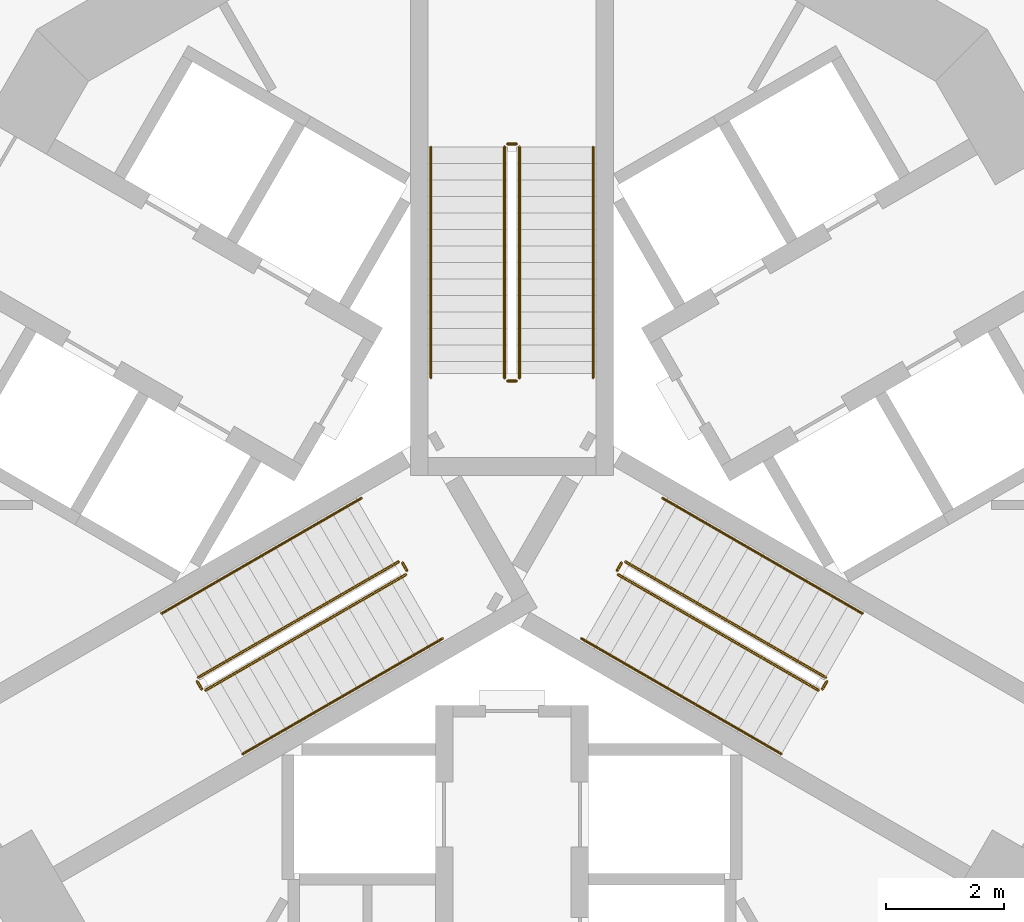
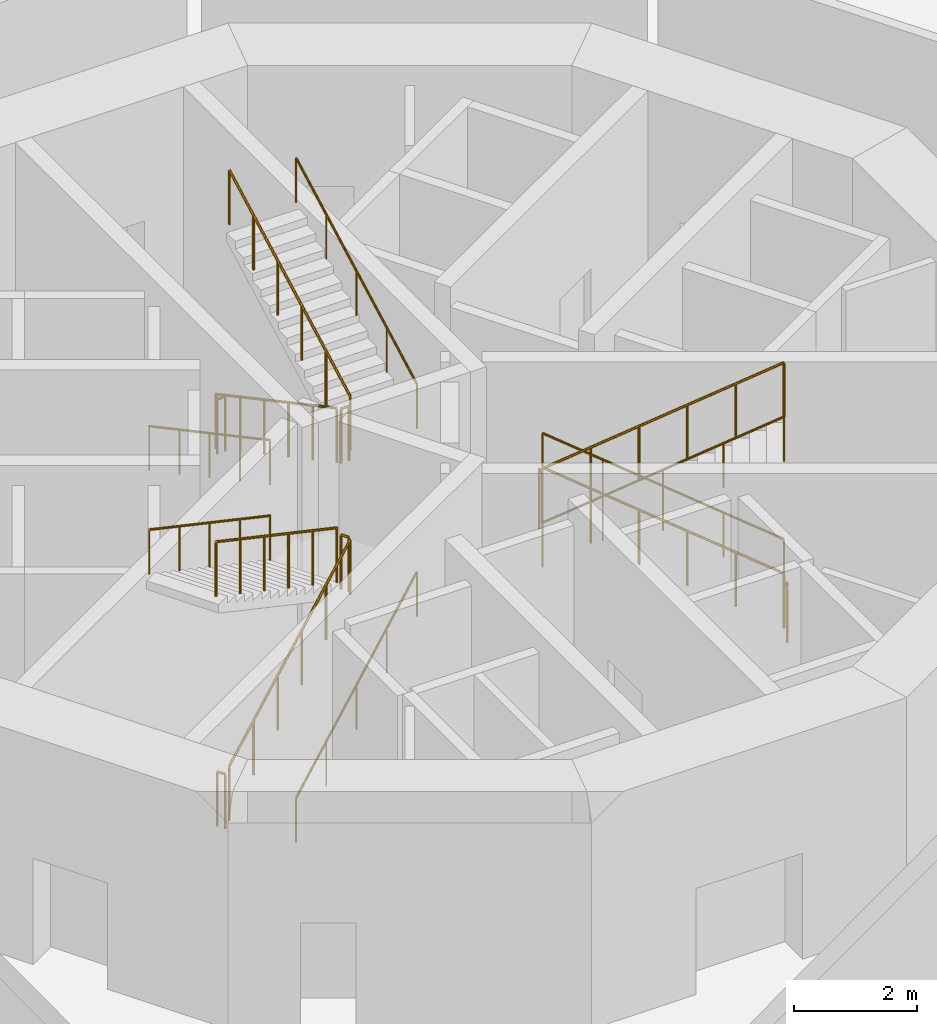
# One storey, part 17 of 21: 22 railings.
"""IFC4 building model written with IfcOpenShell, lengths in metres."""

from ifc_helpers import new_model, si_unit, direction, frame, origin, origin_2d, place, context, subcontext, project, spatial, circle, extrude, material, type_object, element, save


model = new_model("IFC4")

# Units and contexts
model_context = context("Model", 3, precision=1e-05, world=origin(), true_north=direction((0.0, 1.0)))
body_context = subcontext(model_context, "Body", "Model", "MODEL_VIEW")
ifc_project = project(units=[si_unit("LENGTHUNIT", "METRE"), si_unit("AREAUNIT", "SQUARE_METRE"), si_unit("VOLUMEUNIT", "CUBIC_METRE"), si_unit("PLANEANGLEUNIT", "RADIAN"), si_unit("MASSUNIT", "GRAM", prefix="KILO")], contexts=[model_context])

# Site, building, storey
site_placement = place(None, origin())
site = spatial("IfcSite", under=ifc_project, at=site_placement, CompositionType="ELEMENT")
building_placement = place(site_placement, origin())
building = spatial("IfcBuilding", under=site, at=building_placement, Name="Trine Commons Tower", CompositionType="ELEMENT")
storey_placement = place(building_placement, frame((0.0, 0.0, -4.5)))
storey = spatial("IfcBuildingStorey", under=building, at=storey_placement, Name="B1", CompositionType="ELEMENT", Elevation=-4.5)

# Railings
ifc_material_1 = material(Name="Stainless steel balustrade", Category="steel")
railing_type_1 = type_object("IfcRailingType", Name="Stair guard, steel balustrade 1100", PredefinedType="GUARDRAIL", material=ifc_material_1)
railing_1_placement = place(storey_placement, frame((79.875, 68.570556640625, 0.14990234375)))
element("IfcRailing", 1, at=railing_1_placement, inside=storey, type_object=railing_type_1, Name="B1 ST1A stair guard 1", PredefinedType="GUARDRAIL", context=body_context, shape_type="SweptSolid", body=[
    extrude(circle(Radius=0.02392578125, at=origin_2d()), frame((0.0, 0.0, 1.076171875), z_axis=(0.0, -0.881466911329, 0.472245787945), x_axis=(1.0, 0.0, 0.0)), (0.0, 0.0, 1.0), 4.447021484375),
    extrude(circle(Radius=0.02099609375, at=origin_2d()), origin(), (0.0, 0.0, 1.0), 1.052001953125),
    extrude(circle(Radius=0.02099609375, at=origin_2d()), frame((0.0, -0.783935546875, 0.419921875)), (0.0, 0.0, 1.0), 1.052001953125),
    extrude(circle(Radius=0.02099609375, at=origin_2d()), frame((0.0, -1.56787109375, 0.840087890625)), (0.0, 0.0, 1.0), 1.052001953125),
    extrude(circle(Radius=0.02099609375, at=origin_2d()), frame((0.0, -2.35205078125, 1.260009765625)), (0.0, 0.0, 1.0), 1.052001953125),
    extrude(circle(Radius=0.02099609375, at=origin_2d()), frame((0.0, -3.135986328125, 1.68017578125)), (0.0, 0.0, 1.0), 1.052001953125),
    extrude(circle(Radius=0.02099609375, at=origin_2d()), frame((0.0, -3.919921875, 2.10009765625)), (0.0, 0.0, 1.0), 1.052001953125),
])
railing_2_placement = place(storey_placement, frame((79.925048828125, 64.6005859375, 2.25)))
element("IfcRailing", 2, at=railing_2_placement, inside=storey, type_object=railing_type_1, Name="B1 ST1A stair guard 2", PredefinedType="GUARDRAIL", context=body_context, shape_type="SweptSolid", body=[
    extrude(circle(Radius=0.02392578125, at=origin_2d()), frame((0.0, 0.0, 1.076171875), z_axis=(1.0, 0.0, 0.0), x_axis=(0.0, 1.0, 0.0)), (0.0, 0.0, 1.0), 0.14990234375),
    extrude(circle(Radius=0.02099609375, at=origin_2d()), origin(), (0.0, 0.0, 1.0), 1.052001953125),
    extrude(circle(Radius=0.02099609375, at=origin_2d()), frame((0.14990234375, 0.0, 0.0)), (0.0, 0.0, 1.0), 1.052001953125),
])
railing_3_placement = place(storey_placement, frame((80.125, 64.650634765625, 2.39990234375)))
element("IfcRailing", 3, at=railing_3_placement, inside=storey, type_object=railing_type_1, Name="B1 ST1A stair guard 3", PredefinedType="GUARDRAIL", context=body_context, shape_type="SweptSolid", body=[
    extrude(circle(Radius=0.02392578125, at=origin_2d()), frame((0.0, 0.0, 1.076171875), z_axis=(0.0, 0.881466911329, 0.472245787945), x_axis=(-1.0, 0.0, 0.0)), (0.0, 0.0, 1.0), 4.447021484375),
    extrude(circle(Radius=0.02099609375, at=origin_2d()), origin(), (0.0, 0.0, 1.0), 1.052001953125),
    extrude(circle(Radius=0.02099609375, at=origin_2d()), frame((0.0, 0.783935546875, 0.419921875)), (0.0, 0.0, 1.0), 1.052001953125),
    extrude(circle(Radius=0.02099609375, at=origin_2d()), frame((0.0, 1.56787109375, 0.840087890625)), (0.0, 0.0, 1.0), 1.052001953125),
    extrude(circle(Radius=0.02099609375, at=origin_2d()), frame((0.0, 2.35205078125, 1.260009765625)), (0.0, 0.0, 1.0), 1.052001953125),
    extrude(circle(Radius=0.02099609375, at=origin_2d()), frame((0.0, 3.135986328125, 1.68017578125)), (0.0, 0.0, 1.0), 1.052001953125),
    extrude(circle(Radius=0.02099609375, at=origin_2d()), frame((0.0, 3.919921875, 2.10009765625)), (0.0, 0.0, 1.0), 1.052001953125),
])
railing_4_placement = place(storey_placement, frame((79.925048828125, 68.62060546875, 0.0)))
element("IfcRailing", 4, at=railing_4_placement, inside=storey, type_object=railing_type_1, Name="B1 ST1A stair guard 4", PredefinedType="GUARDRAIL", context=body_context, shape_type="SweptSolid", body=[
    extrude(circle(Radius=0.02392578125, at=origin_2d()), frame((0.0, 0.0, 1.076171875), z_axis=(1.0, 0.0, 0.0), x_axis=(0.0, 1.0, 0.0)), (0.0, 0.0, 1.0), 0.14990234375),
    extrude(circle(Radius=0.02099609375, at=origin_2d()), origin(), (0.0, 0.0, 1.0), 1.052001953125),
    extrude(circle(Radius=0.02099609375, at=origin_2d()), frame((0.14990234375, 0.0, 0.0)), (0.0, 0.0, 1.0), 1.052001953125),
])
railing_5_placement = place(storey_placement, frame((74.80517578125, 59.3564453125, 0.14990234375)))
element("IfcRailing", 5, at=railing_5_placement, inside=storey, type_object=railing_type_1, Name="B1 ST2A stair guard 1", PredefinedType="GUARDRAIL", context=body_context, shape_type="SweptSolid", body=[
    extrude(circle(Radius=0.02392578125, at=origin_2d()), frame((0.0, 0.0, 1.076171875), z_axis=(0.763374939589, 0.440731680332, 0.472243885677), x_axis=(-0.499997407846, 0.86602690036, 0.0)), (0.0, 0.0, 1.0), 4.447021484375),
    extrude(circle(Radius=0.02099609375, at=origin_2d()), origin(), (0.0, 0.0, 1.0), 1.052001953125),
    extrude(circle(Radius=0.02099609375, at=origin_2d()), frame((0.678955078125, 0.39208984375, 0.419921875)), (0.0, 0.0, 1.0), 1.052001953125),
    extrude(circle(Radius=0.02099609375, at=origin_2d()), frame((1.35791015625, 0.783935546875, 0.840087890625)), (0.0, 0.0, 1.0), 1.052001953125),
    extrude(circle(Radius=0.02099609375, at=origin_2d()), frame((2.036865234375, 1.176025390625, 1.260009765625)), (0.0, 0.0, 1.0), 1.052001953125),
    extrude(circle(Radius=0.02099609375, at=origin_2d()), frame((2.7158203125, 1.56787109375, 1.68017578125)), (0.0, 0.0, 1.0), 1.052001953125),
    extrude(circle(Radius=0.02099609375, at=origin_2d()), frame((3.394775390625, 1.9599609375, 2.10009765625)), (0.0, 0.0, 1.0), 1.052001953125),
])
railing_6_placement = place(storey_placement, frame((78.21826171875, 61.384765625, 2.25)))
element("IfcRailing", 6, at=railing_6_placement, inside=storey, type_object=railing_type_1, Name="B1 ST2A stair guard 2", PredefinedType="GUARDRAIL", context=body_context, shape_type="SweptSolid", body=[
    extrude(circle(Radius=0.02392578125, at=origin_2d()), frame((0.0, 0.0, 1.076171875), z_axis=(-0.499816412211, 0.866131372301, 0.0), x_axis=(-0.866131372301, -0.499816412211, 0.0)), (0.0, 0.0, 1.0), 0.14990234375),
    extrude(circle(Radius=0.02099609375, at=origin_2d()), origin(), (0.0, 0.0, 1.0), 1.052001953125),
    extrude(circle(Radius=0.02099609375, at=origin_2d()), frame((-0.074951171875, 0.1298828125, 0.0)), (0.0, 0.0, 1.0), 1.052001953125),
])
railing_7_placement = place(storey_placement, frame((78.074951171875, 61.532958984375, 2.39990234375)))
element("IfcRailing", 7, at=railing_7_placement, inside=storey, type_object=railing_type_1, Name="B1 ST2A stair guard 3", PredefinedType="GUARDRAIL", context=body_context, shape_type="SweptSolid", body=[
    extrude(circle(Radius=0.02392578125, at=origin_2d()), frame((0.0, 0.0, 1.076171875), z_axis=(-0.763374939589, -0.440731680332, 0.472243885677), x_axis=(0.499997407846, -0.86602690036, 0.0)), (0.0, 0.0, 1.0), 4.447021484375),
    extrude(circle(Radius=0.02099609375, at=origin_2d()), origin(), (0.0, 0.0, 1.0), 1.052001953125),
    extrude(circle(Radius=0.02099609375, at=origin_2d()), frame((-0.678955078125, -0.39208984375, 0.419921875)), (0.0, 0.0, 1.0), 1.052001953125),
    extrude(circle(Radius=0.02099609375, at=origin_2d()), frame((-1.35791015625, -0.783935546875, 0.840087890625)), (0.0, 0.0, 1.0), 1.052001953125),
    extrude(circle(Radius=0.02099609375, at=origin_2d()), frame((-2.036865234375, -1.176025390625, 1.260009765625)), (0.0, 0.0, 1.0), 1.052001953125),
    extrude(circle(Radius=0.02099609375, at=origin_2d()), frame((-2.7158203125, -1.56787109375, 1.68017578125)), (0.0, 0.0, 1.0), 1.052001953125),
    extrude(circle(Radius=0.02099609375, at=origin_2d()), frame((-3.394775390625, -1.9599609375, 2.10009765625)), (0.0, 0.0, 1.0), 1.052001953125),
])
railing_8_placement = place(storey_placement, frame((74.73681640625, 59.374755859375, 0.0)))
element("IfcRailing", 8, at=railing_8_placement, inside=storey, type_object=railing_type_1, Name="B1 ST2A stair guard 4", PredefinedType="GUARDRAIL", context=body_context, shape_type="SweptSolid", body=[
    extrude(circle(Radius=0.02392578125, at=origin_2d()), frame((0.0, 0.0, 1.076171875), z_axis=(-0.499816412211, 0.866131372301, 0.0), x_axis=(-0.866131372301, -0.499816412211, 0.0)), (0.0, 0.0, 1.0), 0.14990234375),
    extrude(circle(Radius=0.02099609375, at=origin_2d()), origin(), (0.0, 0.0, 1.0), 1.052001953125),
    extrude(circle(Radius=0.02099609375, at=origin_2d()), frame((-0.074951171875, 0.1298828125, 0.0)), (0.0, 0.0, 1.0), 1.052001953125),
])
railing_9_placement = place(storey_placement, frame((85.31982421875, 59.572998046875, 0.14990234375)))
element("IfcRailing", 9, at=railing_9_placement, inside=storey, type_object=railing_type_1, Name="B1 ST3A stair guard 1", PredefinedType="GUARDRAIL", context=body_context, shape_type="SweptSolid", body=[
    extrude(circle(Radius=0.02392578125, at=origin_2d()), frame((0.0, 0.0, 1.076171875), z_axis=(-0.763374939589, 0.440731680332, 0.472243885677), x_axis=(-0.499997407846, -0.86602690036, 0.0)), (0.0, 0.0, 1.0), 4.447021484375),
    extrude(circle(Radius=0.02099609375, at=origin_2d()), origin(), (0.0, 0.0, 1.0), 1.052001953125),
    extrude(circle(Radius=0.02099609375, at=origin_2d()), frame((-0.678955078125, 0.39208984375, 0.419921875)), (0.0, 0.0, 1.0), 1.052001953125),
    extrude(circle(Radius=0.02099609375, at=origin_2d()), frame((-1.35791015625, 0.783935546875, 0.840087890625)), (0.0, 0.0, 1.0), 1.052001953125),
    extrude(circle(Radius=0.02099609375, at=origin_2d()), frame((-2.036865234375, 1.176025390625, 1.260009765625)), (0.0, 0.0, 1.0), 1.052001953125),
    extrude(circle(Radius=0.02099609375, at=origin_2d()), frame((-2.7158203125, 1.56787109375, 1.68017578125)), (0.0, 0.0, 1.0), 1.052001953125),
    extrude(circle(Radius=0.02099609375, at=origin_2d()), frame((-3.394775390625, 1.9599609375, 2.10009765625)), (0.0, 0.0, 1.0), 1.052001953125),
])
railing_10_placement = place(storey_placement, frame((81.856689453125, 61.5146484375, 2.25)))
element("IfcRailing", 10, at=railing_10_placement, inside=storey, type_object=railing_type_1, Name="B1 ST3A stair guard 2", PredefinedType="GUARDRAIL", context=body_context, shape_type="SweptSolid", body=[
    extrude(circle(Radius=0.02392578125, at=origin_2d()), frame((0.0, 0.0, 1.076171875), z_axis=(-0.499816412211, -0.866131372301, 0.0), x_axis=(0.866131372301, -0.499816412211, 0.0)), (0.0, 0.0, 1.0), 0.14990234375),
    extrude(circle(Radius=0.02099609375, at=origin_2d()), origin(), (0.0, 0.0, 1.0), 1.052001953125),
    extrude(circle(Radius=0.02099609375, at=origin_2d()), frame((-0.074951171875, -0.1298828125, 0.0)), (0.0, 0.0, 1.0), 1.052001953125),
])
railing_11_placement = place(storey_placement, frame((81.800048828125, 61.31640625, 2.39990234375)))
element("IfcRailing", 11, at=railing_11_placement, inside=storey, type_object=railing_type_1, Name="B1 ST3A stair guard 3", PredefinedType="GUARDRAIL", context=body_context, shape_type="SweptSolid", body=[
    extrude(circle(Radius=0.02392578125, at=origin_2d()), frame((0.0, 0.0, 1.076171875), z_axis=(0.763374939589, -0.440731680332, 0.472243885677), x_axis=(0.499997407846, 0.86602690036, 0.0)), (0.0, 0.0, 1.0), 4.447021484375),
    extrude(circle(Radius=0.02099609375, at=origin_2d()), origin(), (0.0, 0.0, 1.0), 1.052001953125),
    extrude(circle(Radius=0.02099609375, at=origin_2d()), frame((0.678955078125, -0.39208984375, 0.419921875)), (0.0, 0.0, 1.0), 1.052001953125),
    extrude(circle(Radius=0.02099609375, at=origin_2d()), frame((1.35791015625, -0.783935546875, 0.840087890625)), (0.0, 0.0, 1.0), 1.052001953125),
    extrude(circle(Radius=0.02099609375, at=origin_2d()), frame((2.036865234375, -1.176025390625, 1.260009765625)), (0.0, 0.0, 1.0), 1.052001953125),
    extrude(circle(Radius=0.02099609375, at=origin_2d()), frame((2.7158203125, -1.56787109375, 1.68017578125)), (0.0, 0.0, 1.0), 1.052001953125),
    extrude(circle(Radius=0.02099609375, at=origin_2d()), frame((3.394775390625, -1.9599609375, 2.10009765625)), (0.0, 0.0, 1.0), 1.052001953125),
])
railing_12_placement = place(storey_placement, frame((85.338134765625, 59.504638671875, 0.0)))
element("IfcRailing", 12, at=railing_12_placement, inside=storey, type_object=railing_type_1, Name="B1 ST3A stair guard 4", PredefinedType="GUARDRAIL", context=body_context, shape_type="SweptSolid", body=[
    extrude(circle(Radius=0.02392578125, at=origin_2d()), frame((0.0, 0.0, 1.076171875), z_axis=(-0.499816412211, -0.866131372301, 0.0), x_axis=(0.866131372301, -0.499816412211, 0.0)), (0.0, 0.0, 1.0), 0.14990234375),
    extrude(circle(Radius=0.02099609375, at=origin_2d()), origin(), (0.0, 0.0, 1.0), 1.052001953125),
    extrude(circle(Radius=0.02099609375, at=origin_2d()), frame((-0.074951171875, -0.1298828125, 0.0)), (0.0, 0.0, 1.0), 1.052001953125),
])
ifc_material_2 = material(Name="Stainless steel handrail", Category="steel")
railing_type_2 = type_object("IfcRailingType", Name="Stair handrail, steel 900", PredefinedType="HANDRAIL", material=ifc_material_2)
railing_13_placement = place(storey_placement, frame((78.625, 68.570556640625, 0.14990234375)))
element("IfcRailing", 13, at=railing_13_placement, inside=storey, type_object=railing_type_2, Name="B1 ST1A stair handrail 1", PredefinedType="HANDRAIL", context=body_context, shape_type="SweptSolid", body=[
    extrude(circle(Radius=0.02099609375, at=origin_2d()), frame((0.0, 0.0, 0.87890625), z_axis=(0.0, -0.881466911329, 0.472245787945), x_axis=(1.0, 0.0, 0.0)), (0.0, 0.0, 1.0), 4.447021484375),
    extrude(circle(Radius=0.01513671875, at=origin_2d()), origin(), (0.0, 0.0, 1.0), 0.85791015625),
    extrude(circle(Radius=0.01513671875, at=origin_2d()), frame((0.0, -0.97998046875, 0.52490234375)), (0.0, 0.0, 1.0), 0.85791015625),
    extrude(circle(Radius=0.01513671875, at=origin_2d()), frame((0.0, -1.9599609375, 1.050048828125)), (0.0, 0.0, 1.0), 0.85791015625),
    extrude(circle(Radius=0.01513671875, at=origin_2d()), frame((0.0, -2.93994140625, 1.5751953125)), (0.0, 0.0, 1.0), 0.85791015625),
    extrude(circle(Radius=0.01513671875, at=origin_2d()), frame((0.0, -3.919921875, 2.10009765625)), (0.0, 0.0, 1.0), 0.85791015625),
])
railing_14_placement = place(storey_placement, frame((81.375, 64.650634765625, 2.39990234375)))
element("IfcRailing", 14, at=railing_14_placement, inside=storey, type_object=railing_type_2, Name="B1 ST1A stair handrail 2", PredefinedType="HANDRAIL", context=body_context, shape_type="SweptSolid", body=[
    extrude(circle(Radius=0.02099609375, at=origin_2d()), frame((0.0, 0.0, 0.87890625), z_axis=(0.0, 0.881466911329, 0.472245787945), x_axis=(-1.0, 0.0, 0.0)), (0.0, 0.0, 1.0), 4.447021484375),
    extrude(circle(Radius=0.01513671875, at=origin_2d()), origin(), (0.0, 0.0, 1.0), 0.85791015625),
    extrude(circle(Radius=0.01513671875, at=origin_2d()), frame((0.0, 0.97998046875, 0.52490234375)), (0.0, 0.0, 1.0), 0.85791015625),
    extrude(circle(Radius=0.01513671875, at=origin_2d()), frame((0.0, 1.9599609375, 1.050048828125)), (0.0, 0.0, 1.0), 0.85791015625),
    extrude(circle(Radius=0.01513671875, at=origin_2d()), frame((0.0, 2.93994140625, 1.5751953125)), (0.0, 0.0, 1.0), 0.85791015625),
    extrude(circle(Radius=0.01513671875, at=origin_2d()), frame((0.0, 3.919921875, 2.10009765625)), (0.0, 0.0, 1.0), 0.85791015625),
])
railing_15_placement = place(storey_placement, frame((75.43017578125, 58.27392578125, 0.14990234375)))
element("IfcRailing", 15, at=railing_15_placement, inside=storey, type_object=railing_type_2, Name="B1 ST2A stair handrail 1", PredefinedType="HANDRAIL", context=body_context, shape_type="SweptSolid", body=[
    extrude(circle(Radius=0.02099609375, at=origin_2d()), frame((0.0, 0.0, 0.87890625), z_axis=(0.763397845365, 0.440713210311, 0.472224095054), x_axis=(-0.499970440388, 0.866042469362, 0.0)), (0.0, 0.0, 1.0), 2.2236328125),
    extrude(circle(Radius=0.01513671875, at=origin_2d()), origin(), (0.0, 0.0, 1.0), 0.85791015625),
    extrude(circle(Radius=0.01513671875, at=origin_2d()), frame((0.8486328125, 0.489990234375, 0.52490234375)), (0.0, 0.0, 1.0), 0.85791015625),
    extrude(circle(Radius=0.01513671875, at=origin_2d()), frame((1.697509765625, 0.97998046875, 1.050048828125)), (0.0, 0.0, 1.0), 0.85791015625),
])
railing_16_placement = place(storey_placement, frame((77.127685546875, 59.25390625, 1.199951171875)))
element("IfcRailing", 16, at=railing_16_placement, inside=storey, type_object=railing_type_2, Name="B1 ST2A stair handrail 2", PredefinedType="HANDRAIL", context=body_context, shape_type="SweptSolid", body=[
    extrude(circle(Radius=0.02099609375, at=origin_2d()), frame((0.0, 0.0, 0.87890625), z_axis=(0.763352030933, 0.440750151347, 0.472263677365), x_axis=(-0.500024377727, 0.866011328839, 0.0)), (0.0, 0.0, 1.0), 2.223388671875),
    extrude(circle(Radius=0.01513671875, at=origin_2d()), origin(), (0.0, 0.0, 1.0), 0.85791015625),
    extrude(circle(Radius=0.01513671875, at=origin_2d()), frame((0.8486328125, 0.489990234375, 0.52490234375)), (0.0, 0.0, 1.0), 0.85791015625),
    extrude(circle(Radius=0.01513671875, at=origin_2d()), frame((1.697265625, 0.97998046875, 1.050048828125)), (0.0, 0.0, 1.0), 0.85791015625),
])
railing_17_placement = place(storey_placement, frame((77.449951171875, 62.615478515625, 2.39990234375)))
element("IfcRailing", 17, at=railing_17_placement, inside=storey, type_object=railing_type_2, Name="B1 ST2A stair handrail 3", PredefinedType="HANDRAIL", context=body_context, shape_type="SweptSolid", body=[
    extrude(circle(Radius=0.02099609375, at=origin_2d()), frame((0.0, 0.0, 0.87890625), z_axis=(-0.763352030933, -0.440750151347, 0.472263677365), x_axis=(0.500024377727, -0.866011328839, 0.0)), (0.0, 0.0, 1.0), 2.223388671875),
    extrude(circle(Radius=0.01513671875, at=origin_2d()), origin(), (0.0, 0.0, 1.0), 0.85791015625),
    extrude(circle(Radius=0.01513671875, at=origin_2d()), frame((-0.8486328125, -0.489990234375, 0.52490234375)), (0.0, 0.0, 1.0), 0.85791015625),
    extrude(circle(Radius=0.01513671875, at=origin_2d()), frame((-1.697265625, -0.97998046875, 1.050048828125)), (0.0, 0.0, 1.0), 0.85791015625),
])
railing_18_placement = place(storey_placement, frame((75.752685546875, 61.635498046875, 3.449951171875)))
element("IfcRailing", 18, at=railing_18_placement, inside=storey, type_object=railing_type_2, Name="B1 ST2A stair handrail 4", PredefinedType="HANDRAIL", context=body_context, shape_type="SweptSolid", body=[
    extrude(circle(Radius=0.02099609375, at=origin_2d()), frame((0.0, 0.0, 0.87890625), z_axis=(-0.763397845365, -0.440713210311, 0.472224095054), x_axis=(0.499970440388, -0.866042469362, 0.0)), (0.0, 0.0, 1.0), 2.2236328125),
    extrude(circle(Radius=0.01513671875, at=origin_2d()), origin(), (0.0, 0.0, 1.0), 0.85791015625),
    extrude(circle(Radius=0.01513671875, at=origin_2d()), frame((-0.8486328125, -0.489990234375, 0.52490234375)), (0.0, 0.0, 1.0), 0.85791015625),
    extrude(circle(Radius=0.01513671875, at=origin_2d()), frame((-1.697509765625, -0.97998046875, 1.050048828125)), (0.0, 0.0, 1.0), 0.85791015625),
])
railing_19_placement = place(storey_placement, frame((85.94482421875, 60.655517578125, 0.14990234375)))
element("IfcRailing", 19, at=railing_19_placement, inside=storey, type_object=railing_type_2, Name="B1 ST3A stair handrail 1", PredefinedType="HANDRAIL", context=body_context, shape_type="SweptSolid", body=[
    extrude(circle(Radius=0.02099609375, at=origin_2d()), frame((0.0, 0.0, 0.87890625), z_axis=(-0.763397845365, 0.440713210311, 0.472224095054), x_axis=(-0.499970440388, -0.866042469362, 0.0)), (0.0, 0.0, 1.0), 2.2236328125),
    extrude(circle(Radius=0.01513671875, at=origin_2d()), origin(), (0.0, 0.0, 1.0), 0.85791015625),
    extrude(circle(Radius=0.01513671875, at=origin_2d()), frame((-0.8486328125, 0.489990234375, 0.52490234375)), (0.0, 0.0, 1.0), 0.85791015625),
    extrude(circle(Radius=0.01513671875, at=origin_2d()), frame((-1.697509765625, 0.97998046875, 1.050048828125)), (0.0, 0.0, 1.0), 0.85791015625),
])
railing_20_placement = place(storey_placement, frame((84.247314453125, 61.635498046875, 1.199951171875)))
element("IfcRailing", 20, at=railing_20_placement, inside=storey, type_object=railing_type_2, Name="B1 ST3A stair handrail 2", PredefinedType="HANDRAIL", context=body_context, shape_type="SweptSolid", body=[
    extrude(circle(Radius=0.02099609375, at=origin_2d()), frame((0.0, 0.0, 0.87890625), z_axis=(-0.763352030933, 0.440750151347, 0.472263677365), x_axis=(-0.500024377727, -0.866011328839, 0.0)), (0.0, 0.0, 1.0), 2.223388671875),
    extrude(circle(Radius=0.01513671875, at=origin_2d()), origin(), (0.0, 0.0, 1.0), 0.85791015625),
    extrude(circle(Radius=0.01513671875, at=origin_2d()), frame((-0.8486328125, 0.489990234375, 0.52490234375)), (0.0, 0.0, 1.0), 0.85791015625),
    extrude(circle(Radius=0.01513671875, at=origin_2d()), frame((-1.697265625, 0.97998046875, 1.050048828125)), (0.0, 0.0, 1.0), 0.85791015625),
])
railing_21_placement = place(storey_placement, frame((81.175048828125, 60.23388671875, 2.39990234375)))
element("IfcRailing", 21, at=railing_21_placement, inside=storey, type_object=railing_type_2, Name="B1 ST3A stair handrail 3", PredefinedType="HANDRAIL", context=body_context, shape_type="SweptSolid", body=[
    extrude(circle(Radius=0.02099609375, at=origin_2d()), frame((0.0, 0.0, 0.87890625), z_axis=(0.763352030933, -0.440750151347, 0.472263677365), x_axis=(0.500024377727, 0.866011328839, 0.0)), (0.0, 0.0, 1.0), 2.223388671875),
    extrude(circle(Radius=0.01513671875, at=origin_2d()), origin(), (0.0, 0.0, 1.0), 0.85791015625),
    extrude(circle(Radius=0.01513671875, at=origin_2d()), frame((0.8486328125, -0.489990234375, 0.52490234375)), (0.0, 0.0, 1.0), 0.85791015625),
    extrude(circle(Radius=0.01513671875, at=origin_2d()), frame((1.697265625, -0.97998046875, 1.050048828125)), (0.0, 0.0, 1.0), 0.85791015625),
])
railing_22_placement = place(storey_placement, frame((82.872314453125, 59.25390625, 3.449951171875)))
element("IfcRailing", 22, at=railing_22_placement, inside=storey, type_object=railing_type_2, Name="B1 ST3A stair handrail 4", PredefinedType="HANDRAIL", context=body_context, shape_type="SweptSolid", body=[
    extrude(circle(Radius=0.02099609375, at=origin_2d()), frame((0.0, 0.0, 0.87890625), z_axis=(0.763397845365, -0.440713210311, 0.472224095054), x_axis=(0.499970440388, 0.866042469362, 0.0)), (0.0, 0.0, 1.0), 2.2236328125),
    extrude(circle(Radius=0.01513671875, at=origin_2d()), origin(), (0.0, 0.0, 1.0), 0.85791015625),
    extrude(circle(Radius=0.01513671875, at=origin_2d()), frame((0.8486328125, -0.489990234375, 0.52490234375)), (0.0, 0.0, 1.0), 0.85791015625),
    extrude(circle(Radius=0.01513671875, at=origin_2d()), frame((1.697509765625, -0.97998046875, 1.050048828125)), (0.0, 0.0, 1.0), 0.85791015625),
])

save(model, "model.ifc")
